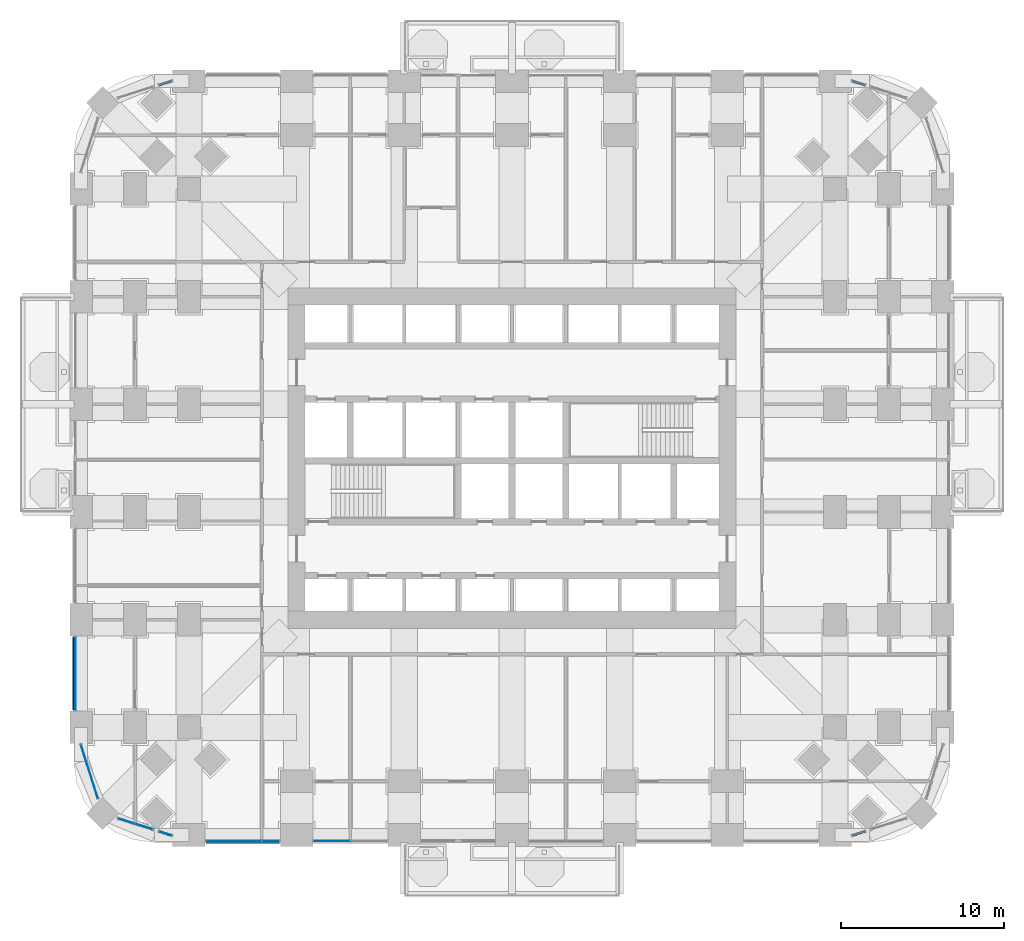
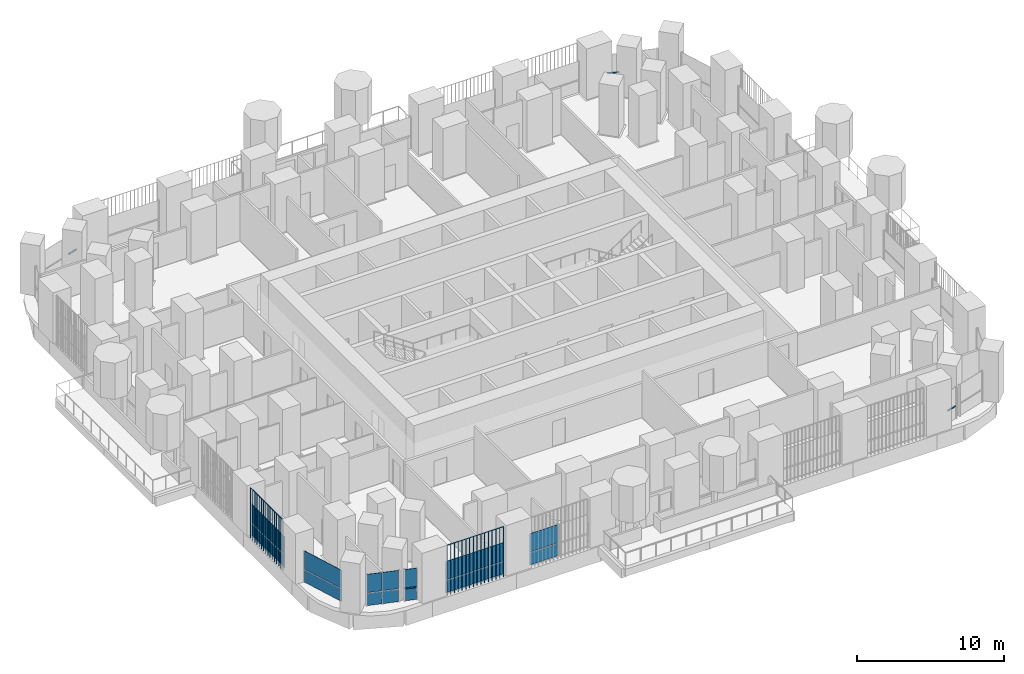
# One storey, part 10 of 25: 18 plates, 4 members, 9 elements without a shape of their own.
"""IFC4 building model written with IfcOpenShell, lengths in metres."""

import ifcopenshell
import ifcopenshell.guid

model = None  # the IFC model being written
_history = None  # IfcOwnerHistory: only IFC2X3 demands one
_inside = {}  # id of a spatial element -> (the spatial element, [elements in it])
_under = {}  # id of a project, library or spatial element -> (it, [spatial elements below it])
_declared = {}  # id of a project -> (the project, [libraries it declares])
_typed = {}  # id of a type object -> (the type object, [elements of that type])
_made_of = {}  # id of a material, layer set ... -> (it, [elements and type objects made of it])


def new_model(schema):
    """Start an empty IFC model of exactly this schema.

    Asked for "IFC4X3", IfcOpenShell would pick the latest addendum, in which some entities
    have other attributes; the version numbers below select the first issue.
    IFC2X3 requires an IfcOwnerHistory on every rooted entity: one is made here for all.
    """
    global model, _history
    if schema == "IFC4X3":
        model = ifcopenshell.file(schema_version=(4, 3, 0, 0))
    else:
        model = ifcopenshell.file(schema=schema)
    _inside.clear()
    _under.clear()
    _declared.clear()
    _typed.clear()
    _made_of.clear()
    _history = None
    if model.schema == "IFC2X3":
        org = make("IfcOrganization", Name="unknown")
        user = make(
            "IfcPersonAndOrganization",
            ThePerson=make("IfcPerson", FamilyName="unknown"),
            TheOrganization=org,
        )
        app = make(
            "IfcApplication",
            ApplicationDeveloper=org,
            Version="unknown",
            ApplicationFullName="unknown",
            ApplicationIdentifier="unknown",
        )
        _history = make(
            "IfcOwnerHistory",
            OwningUser=user,
            OwningApplication=app,
            ChangeAction="ADDED",
            CreationDate=0,
        )
    return model


def make(cls, **values):
    """One entity of the class cls with the attributes given. An attribute that is None is left unset."""
    return model.create_entity(
        cls, **{name: value for name, value in values.items() if value is not None}
    )


def rooted(cls, **values):
    """An entity with a GlobalId (a new one), such as an element, a storey or a relation."""
    return make(cls, GlobalId=ifcopenshell.guid.new(), OwnerHistory=_history, **values)


def si_unit(unit_type, name, prefix=None):
    """IfcSIUnit, for example si_unit("LENGTHUNIT", "METRE", prefix="MILLI")."""
    return make("IfcSIUnit", UnitType=unit_type, Prefix=prefix, Name=name)


def assignment(units):
    """IfcUnitAssignment: the units of a project."""
    return None if units is None else make("IfcUnitAssignment", Units=units)


def point(xyz):
    """IfcCartesianPoint."""
    return None if xyz is None else make("IfcCartesianPoint", Coordinates=xyz)


def direction(xyz):
    """IfcDirection."""
    return None if xyz is None else make("IfcDirection", DirectionRatios=xyz)


def frame(location, z_axis=None, x_axis=None):
    """IfcAxis2Placement3D, a coordinate frame: its origin and axes. An axis left out is left unset."""
    return make(
        "IfcAxis2Placement3D",
        Location=point(location),
        Axis=direction(z_axis),
        RefDirection=direction(x_axis),
    )


def frame_2d(location, x_axis=None):
    """IfcAxis2Placement2D, a coordinate frame in the plane: its origin and x axis."""
    return make(
        "IfcAxis2Placement2D", Location=point(location), RefDirection=direction(x_axis)
    )


def origin():
    """The frame at (0, 0, 0) with its axes left unset."""
    return frame((0.0, 0.0, 0.0))


def origin_2d():
    """The frame at (0, 0) in the plane with its x axis left unset."""
    return frame_2d((0.0, 0.0))


def place(relative_to, where):
    """IfcLocalPlacement: puts the frame where relative to a parent placement (None: the world)."""
    return make(
        "IfcLocalPlacement", PlacementRelTo=relative_to, RelativePlacement=where
    )


def context(
    kind, dimensions, precision=None, world=None, true_north=None, identifier=None
):
    """IfcGeometricRepresentationContext, for example the 3D "Model" context."""
    return make(
        "IfcGeometricRepresentationContext",
        ContextIdentifier=identifier,
        ContextType=kind,
        CoordinateSpaceDimension=dimensions,
        Precision=precision,
        WorldCoordinateSystem=world,
        TrueNorth=true_north,
    )


def subcontext(parent, identifier, kind, view, scale=None):
    """IfcGeometricRepresentationSubContext, for example "Body" below "Model"."""
    return make(
        "IfcGeometricRepresentationSubContext",
        ContextIdentifier=identifier,
        ContextType=kind,
        ParentContext=parent,
        TargetScale=scale,
        TargetView=view,
    )


def project(units=None, contexts=None):
    """IfcProject with its units and contexts."""
    return rooted(
        "IfcProject",
        Name="project",
        RepresentationContexts=contexts,
        UnitsInContext=assignment(units),
    )


def spatial(cls, under=None, at=None, **own):
    """A site, building, storey or space (cls), placed at a placement, below another one or the project."""
    s = rooted(cls, ObjectPlacement=at, **own)
    if under is not None:
        _under.setdefault(under.id(), (under, []))[1].append(s)
    return s


def polyline(points):
    """IfcPolyline through the points."""
    return make("IfcPolyline", Points=[point(p) for p in points])


def profile(cls, at=None, kind="AREA", **sizes):
    """A parametric profile (cls). Its sizes go by their IFC names, for example OverallWidth=200.0."""
    return make(cls, ProfileType=kind, Position=at, **sizes)


def rectangle(**sizes):
    """IfcRectangleProfileDef."""
    return profile("IfcRectangleProfileDef", **sizes)


def outline(outer, holes=None, kind="AREA"):
    """IfcArbitraryClosedProfileDef: a profile drawn as a closed curve; with holes, ...WithVoids."""
    if holes is None:
        return make("IfcArbitraryClosedProfileDef", ProfileType=kind, OuterCurve=outer)
    return make(
        "IfcArbitraryProfileDefWithVoids",
        ProfileType=kind,
        OuterCurve=outer,
        InnerCurves=holes,
    )


def extrude(swept, where, along, depth):
    """IfcExtrudedAreaSolid: the profile swept, set in the frame where, extruded along a direction by depth."""
    return make(
        "IfcExtrudedAreaSolid",
        SweptArea=swept,
        Position=where,
        ExtrudedDirection=direction(along),
        Depth=depth,
    )


def shape(context_of_items, identifier, shape_type, items):
    """IfcShapeRepresentation: the items that make up one representation, for example the "Body"."""
    return make(
        "IfcShapeRepresentation",
        ContextOfItems=context_of_items,
        RepresentationIdentifier=identifier,
        RepresentationType=shape_type,
        Items=items,
    )


def material(Name=None, Category=None):
    """IfcMaterial."""
    return make("IfcMaterial", Name=Name, Category=Category)


def layer(
    of_material, thickness, ventilated=None, Name=None, Category=None, Priority=None
):
    """IfcMaterialLayer: one layer of a wall or slab, of a material (None: an air gap)."""
    return make(
        "IfcMaterialLayer",
        Material=of_material,
        LayerThickness=thickness,
        IsVentilated=ventilated,
        Name=Name,
        Category=Category,
        Priority=Priority,
    )


def layer_set(layers, Name=None):
    """IfcMaterialLayerSet."""
    return make("IfcMaterialLayerSet", MaterialLayers=layers, LayerSetName=Name)


def material_profile(
    of_material, cross_section, Name=None, Category=None, Priority=None
):
    """IfcMaterialProfile: a cross section and its material."""
    return make(
        "IfcMaterialProfile",
        Name=Name,
        Material=of_material,
        Profile=cross_section,
        Priority=Priority,
        Category=Category,
    )


def profile_set(profiles, Name=None, composite=None):
    """IfcMaterialProfileSet."""
    return make(
        "IfcMaterialProfileSet",
        Name=Name,
        MaterialProfiles=profiles,
        CompositeProfile=composite,
    )


def made_of(thing, what):
    """Note that an element or type object is made of a material, layer set ...; save() writes the relation."""
    if what is not None:
        _made_of.setdefault(what.id(), (what, []))[1].append(thing)
    return thing


def type_object(cls, material=None, **own):
    """A type object (cls), such as IfcWallType, which elements share."""
    return made_of(rooted(cls, **own), material)


def element(
    cls,
    number,
    at=None,
    inside=None,
    cuts=None,
    type_object=None,
    material=None,
    context=None,
    identifier="Body",
    shape_type=None,
    held_by="IfcProductDefinitionShape",
    body=None,
    shapes=None,
    **own,
):
    """One element of the class cls, such as IfcWall. Its Tag is "e" and its number.

    at: its placement. inside: the storey or other place that contains it. cuts: it is an
    opening in that element (IfcRelVoidsElement). A single representation is given by context,
    identifier, shape_type and body (its items); several are given by shapes. held_by: the class
    of the entity that holds the representations. save() writes the other relations.
    """
    e = rooted(cls, Tag="e%d" % number, ObjectPlacement=at, **own)
    if body is not None:
        shapes = [shape(context, identifier, shape_type, body)]
    if shapes is not None:
        e.Representation = make(held_by, Representations=shapes)
    if inside is not None:
        _inside.setdefault(inside.id(), (inside, []))[1].append(e)
    if cuts is not None:
        rooted(
            "IfcRelVoidsElement", RelatingBuildingElement=cuts, RelatedOpeningElement=e
        )
    if type_object is not None:
        _typed.setdefault(type_object.id(), (type_object, []))[1].append(e)
    return made_of(e, material)


def aggregate(whole, parts):
    """IfcRelAggregates: a whole, such as a stair, and the parts it consists of."""
    return rooted("IfcRelAggregates", RelatingObject=whole, RelatedObjects=parts)


def save(model, path):
    """Write the relations noted so far, then the file.

    IfcRelAggregates (storeys below a building ...), IfcRelContainedInSpatialStructure (elements
    in a storey), IfcRelDefinesByType, IfcRelAssociatesMaterial and IfcRelDeclares: one each for
    every whole, place, type object, material and project.
    """
    for whole, parts in _under.values():
        aggregate(whole, parts)
    for where, things in _inside.values():
        rooted(
            "IfcRelContainedInSpatialStructure",
            RelatedElements=things,
            RelatingStructure=where,
        )
    for kind, things in _typed.values():
        rooted("IfcRelDefinesByType", RelatedObjects=things, RelatingType=kind)
    for what, things in _made_of.values():
        rooted("IfcRelAssociatesMaterial", RelatedObjects=things, RelatingMaterial=what)
    for by, libraries in _declared.values():
        rooted("IfcRelDeclares", RelatingContext=by, RelatedDefinitions=libraries)
    model.write(path)


model = new_model("IFC4")

# Units and contexts
model_context = context("Model", 3, precision=1e-05, world=origin(), true_north=direction((0.0, 1.0)))
body_context = subcontext(model_context, "Body", "Model", "MODEL_VIEW")
ifc_project = project(units=[si_unit("LENGTHUNIT", "METRE"), si_unit("AREAUNIT", "SQUARE_METRE"), si_unit("VOLUMEUNIT", "CUBIC_METRE"), si_unit("PLANEANGLEUNIT", "RADIAN"), si_unit("MASSUNIT", "GRAM", prefix="KILO")], contexts=[model_context])

# Site, building, storey
site_placement = place(None, origin())
site = spatial("IfcSite", under=ifc_project, at=site_placement, CompositionType="ELEMENT")
building_placement = place(site_placement, origin())
building = spatial("IfcBuilding", under=site, at=building_placement, Name="Cobogo Forest Laboratory Tower", CompositionType="ELEMENT")
storey_placement = place(building_placement, frame((0.0, 0.0, 67.5)))
storey = spatial("IfcBuildingStorey", under=building, at=storey_placement, Name="L15", CompositionType="ELEMENT", Elevation=67.5)

# Curtain wall, member
ifc_material_1 = material(Name="Aluminium curtain wall", Category="aluminium")
curtain_wall_type = type_object("IfcCurtainWallType", Name="CW-1 unitised curtain wall, clear glazing, laboratory floors zones A and B", PredefinedType="USERDEFINED", material=ifc_material_1)
curtain_wall_1_placement = place(storey_placement, origin())
curtain_wall_1 = element("IfcCurtainWall", 1, at=curtain_wall_1_placement, inside=storey, type_object=curtain_wall_type, Name="Curtain wall 07 L15", ObjectType="UNITISED CURTAIN WALL", PredefinedType="USERDEFINED")
ifc_material_2 = material(Name="Aluminium transom", Category="aluminium")
ifc_material_profile = material_profile(ifc_material_2, rectangle(XDim=0.1201171875, YDim=0.06005859375, at=origin_2d()), Name="AL 60x120")
ifc_profile_set = profile_set([ifc_material_profile], Name="Aluminium transom")
member_type = type_object("IfcMemberType", Name="TR-1 aluminium transom 60x120", PredefinedType="USERDEFINED", material=ifc_profile_set)
member_1_placement = place(storey_placement, frame((47.25732421875, -0.01611328125, 1.050048828125), z_axis=(0.953541389606, 0.301262042596, 0.0), x_axis=(-0.301262042596, 0.953541389606, 0.0)))
member_1 = element("IfcMember", 2, at=member_1_placement, type_object=member_type, Name="CW-1 transom 1.1", ObjectType="TRANSOM", PredefinedType="USERDEFINED", context=body_context, shape_type="SweptSolid", body=[
    extrude(rectangle(XDim=0.1201171875, YDim=0.06005859375, at=origin_2d()), origin(), (0.0, 0.0, 1.0), 0.8046875),
])
aggregate(curtain_wall_1, [member_1])

curtain_wall_2_placement = place(storey_placement, origin())
curtain_wall_2 = element("IfcCurtainWall", 3, at=curtain_wall_2_placement, inside=storey, type_object=curtain_wall_type, Name="Curtain wall 17 L15", ObjectType="UNITISED CURTAIN WALL", PredefinedType="USERDEFINED")
member_2_placement = place(storey_placement, frame((48.024658203125, 45.973876953125, 1.050048828125), z_axis=(-0.953628510017, 0.300986153973, 0.0), x_axis=(-0.300986153973, -0.953628510017, 0.0)))
member_2 = element("IfcMember", 4, at=member_2_placement, type_object=member_type, Name="CW-1 transom 1.1", ObjectType="TRANSOM", PredefinedType="USERDEFINED", context=body_context, shape_type="SweptSolid", body=[
    extrude(rectangle(XDim=0.1201171875, YDim=0.06005859375, at=origin_2d()), origin(), (0.0, 0.0, 1.0), 0.8046875),
])
aggregate(curtain_wall_2, [member_2])

curtain_wall_3_placement = place(storey_placement, origin())
curtain_wall_3 = element("IfcCurtainWall", 5, at=curtain_wall_3_placement, inside=storey, type_object=curtain_wall_type, Name="Curtain wall 24 L15", ObjectType="UNITISED CURTAIN WALL", PredefinedType="USERDEFINED")
member_3_placement = place(storey_placement, frame((5.542724609375, 46.216064453125, 1.050048828125), z_axis=(-0.953628510017, -0.300986153973, 0.0), x_axis=(0.300986153973, -0.953628510017, 0.0)))
member_3 = element("IfcMember", 6, at=member_3_placement, type_object=member_type, Name="CW-1 transom 1.1", ObjectType="TRANSOM", PredefinedType="USERDEFINED", context=body_context, shape_type="SweptSolid", body=[
    extrude(rectangle(XDim=0.1201171875, YDim=0.06005859375, at=origin_2d()), origin(), (0.0, 0.0, 1.0), 0.8046875),
])
aggregate(curtain_wall_3, [member_3])

curtain_wall_4_placement = place(storey_placement, origin())
curtain_wall_4 = element("IfcCurtainWall", 7, at=curtain_wall_4_placement, inside=storey, type_object=curtain_wall_type, Name="Curtain wall 34 L15", ObjectType="UNITISED CURTAIN WALL", PredefinedType="USERDEFINED")
member_4_placement = place(storey_placement, frame((4.775390625, 0.226318359375, 1.050048828125), z_axis=(0.953541389606, -0.301262042596, 0.0), x_axis=(0.301262042596, 0.953541389606, 0.0)))
member_4 = element("IfcMember", 8, at=member_4_placement, type_object=member_type, Name="CW-1 transom 1.1", ObjectType="TRANSOM", PredefinedType="USERDEFINED", context=body_context, shape_type="SweptSolid", body=[
    extrude(rectangle(XDim=0.1201171875, YDim=0.06005859375, at=origin_2d()), origin(), (0.0, 0.0, 1.0), 0.8046875),
])

# Curtain wall, plates
curtain_wall_5_placement = place(storey_placement, origin())
curtain_wall_5 = element("IfcCurtainWall", 9, at=curtain_wall_5_placement, inside=storey, type_object=curtain_wall_type, Name="Curtain wall 01 L15", ObjectType="UNITISED CURTAIN WALL", PredefinedType="USERDEFINED")
ifc_material_3 = material(Name="Clear insulated glass", Category="glass")
ifc_layer = layer(ifc_material_3, 0.028076171875)
ifc_layer_set = layer_set([ifc_layer], Name="GP-1 clear insulated glass unit 28")
plate_type_1 = type_object("IfcPlateType", Name="GP-1 clear insulated glass unit 28", PredefinedType="CURTAIN_PANEL", material=ifc_layer_set)
plate_1_placement = place(storey_placement, frame((9.3525390625, -0.35009765625, 0.0), z_axis=(0.0, 0.0, 1.0), x_axis=(1.0, 0.0, 0.0)))
plate_1 = element("IfcPlate", 10, at=plate_1_placement, type_object=plate_type_1, Name="CW-1 panel 1.1", PredefinedType="CURTAIN_PANEL", context=body_context, shape_type="SweptSolid", body=[
    extrude(rectangle(XDim=3.385009765625, YDim=0.028076171875, at=origin_2d()), origin(), (0.0, 0.0, 1.0), 1.02001953125),
])
plate_2_placement = place(storey_placement, frame((9.3525390625, -0.35009765625, 1.080078125), z_axis=(0.0, 0.0, 1.0), x_axis=(1.0, 0.0, 0.0)))
plate_2 = element("IfcPlate", 11, at=plate_2_placement, type_object=plate_type_1, Name="CW-1 panel 1.2", PredefinedType="CURTAIN_PANEL", context=body_context, shape_type="SweptSolid", body=[
    extrude(rectangle(XDim=3.385009765625, YDim=0.028076171875, at=origin_2d()), origin(), (0.0, 0.0, 1.0), 1.52001953125),
])
plate_3_placement = place(storey_placement, frame((11.62255859375, -0.35009765625, 0.0), z_axis=(0.0, 0.0, 1.0), x_axis=(1.0, 0.0, 0.0)))
plate_3 = element("IfcPlate", 12, at=plate_3_placement, type_object=plate_type_1, Name="CW-1 panel 2.1", PredefinedType="CURTAIN_PANEL", context=body_context, shape_type="SweptSolid", body=[
    extrude(rectangle(XDim=1.034912109375, YDim=0.028076171875, at=origin_2d()), origin(), (0.0, 0.0, 1.0), 1.02001953125),
])
plate_4_placement = place(storey_placement, frame((11.62255859375, -0.35009765625, 1.080078125), z_axis=(0.0, 0.0, 1.0), x_axis=(1.0, 0.0, 0.0)))
plate_4 = element("IfcPlate", 13, at=plate_4_placement, type_object=plate_type_1, Name="CW-1 panel 2.2", PredefinedType="CURTAIN_PANEL", context=body_context, shape_type="SweptSolid", body=[
    extrude(rectangle(XDim=1.034912109375, YDim=0.028076171875, at=origin_2d()), origin(), (0.0, 0.0, 1.0), 1.52001953125),
])
aggregate(curtain_wall_5, [plate_1, plate_2, plate_3, plate_4])

curtain_wall_6_placement = place(storey_placement, origin())
curtain_wall_6 = element("IfcCurtainWall", 14, at=curtain_wall_6_placement, inside=storey, type_object=curtain_wall_type, Name="Curtain wall 02 L15", ObjectType="UNITISED CURTAIN WALL", PredefinedType="USERDEFINED")
plate_5_placement = place(storey_placement, frame((15.364990234375, -0.35009765625, 0.0), z_axis=(0.0, 0.0, 1.0), x_axis=(1.0, 0.0, 0.0)))
plate_5 = element("IfcPlate", 15, at=plate_5_placement, type_object=plate_type_1, Name="CW-1 panel 1.1", PredefinedType="CURTAIN_PANEL", context=body_context, shape_type="SweptSolid", body=[
    extrude(rectangle(XDim=2.2099609375, YDim=0.028076171875, at=origin_2d()), origin(), (0.0, 0.0, 1.0), 1.02001953125),
])
plate_6_placement = place(storey_placement, frame((15.364990234375, -0.35009765625, 1.080078125), z_axis=(0.0, 0.0, 1.0), x_axis=(1.0, 0.0, 0.0)))
plate_6 = element("IfcPlate", 16, at=plate_6_placement, type_object=plate_type_1, Name="CW-1 panel 1.2", PredefinedType="CURTAIN_PANEL", context=body_context, shape_type="SweptSolid", body=[
    extrude(rectangle(XDim=2.2099609375, YDim=0.028076171875, at=origin_2d()), origin(), (0.0, 0.0, 1.0), 1.52001953125),
])
aggregate(curtain_wall_6, [plate_5, plate_6])

curtain_wall_7_placement = place(storey_placement, origin())
curtain_wall_7 = element("IfcCurtainWall", 17, at=curtain_wall_7_placement, inside=storey, type_object=curtain_wall_type, Name="Curtain wall 31 L15", ObjectType="UNITISED CURTAIN WALL", PredefinedType="USERDEFINED")
plate_7_placement = place(storey_placement, frame((-0.35009765625, 9.89990234375, 0.0), z_axis=(0.0, 0.0, 1.0), x_axis=(0.0, -1.0, 0.0)))
plate_7 = element("IfcPlate", 18, at=plate_7_placement, type_object=plate_type_1, Name="CW-1 panel 1.1", PredefinedType="CURTAIN_PANEL", context=body_context, shape_type="SweptSolid", body=[
    extrude(rectangle(XDim=4.47998046875, YDim=0.028076171875, at=origin_2d()), origin(), (0.0, 0.0, 1.0), 1.02001953125),
])
plate_8_placement = place(storey_placement, frame((-0.35009765625, 9.89990234375, 1.080078125), z_axis=(0.0, 0.0, 1.0), x_axis=(0.0, -1.0, 0.0)))
plate_8 = element("IfcPlate", 19, at=plate_8_placement, type_object=plate_type_1, Name="CW-1 panel 1.2", PredefinedType="CURTAIN_PANEL", context=body_context, shape_type="SweptSolid", body=[
    extrude(rectangle(XDim=4.47998046875, YDim=0.028076171875, at=origin_2d()), origin(), (0.0, 0.0, 1.0), 1.52001953125),
])
aggregate(curtain_wall_7, [plate_7, plate_8])

curtain_wall_8_placement = place(storey_placement, origin())
curtain_wall_8 = element("IfcCurtainWall", 20, at=curtain_wall_8_placement, inside=storey, type_object=curtain_wall_type, Name="Curtain wall 32 L15", ObjectType="UNITISED CURTAIN WALL", PredefinedType="USERDEFINED")
plate_9_placement = place(storey_placement, frame((0.5009765625, 3.905029296875, 0.0), z_axis=(0.0, 0.0, 1.0), x_axis=(0.301135433696, -0.953581381201, 0.0)))
plate_9 = element("IfcPlate", 21, at=plate_9_placement, type_object=plate_type_1, Name="CW-1 panel 1.1", PredefinedType="CURTAIN_PANEL", context=body_context, shape_type="SweptSolid", body=[
    extrude(rectangle(XDim=3.434814453125, YDim=0.028076171875, at=origin_2d()), origin(), (0.0, 0.0, 1.0), 1.02001953125),
])
plate_10_placement = place(storey_placement, frame((0.5009765625, 3.905029296875, 1.080078125), z_axis=(0.0, 0.0, 1.0), x_axis=(0.301135433696, -0.953581381201, 0.0)))
plate_10 = element("IfcPlate", 22, at=plate_10_placement, type_object=plate_type_1, Name="CW-1 panel 1.2", PredefinedType="CURTAIN_PANEL", context=body_context, shape_type="SweptSolid", body=[
    extrude(rectangle(XDim=3.434814453125, YDim=0.028076171875, at=origin_2d()), origin(), (0.0, 0.0, 1.0), 1.52001953125),
])
aggregate(curtain_wall_8, [plate_9, plate_10])

curtain_wall_9_placement = place(storey_placement, origin())
curtain_wall_9 = element("IfcCurtainWall", 23, at=curtain_wall_9_placement, inside=storey, type_object=curtain_wall_type, Name="Curtain wall 33 L15", ObjectType="UNITISED CURTAIN WALL", PredefinedType="USERDEFINED")
plate_11_placement = place(storey_placement, frame((2.75732421875, 0.863525390625, 0.0), z_axis=(0.0, 0.0, 1.0), x_axis=(0.953581409645, -0.301135343623, 0.0)))
plate_11 = element("IfcPlate", 24, at=plate_11_placement, type_object=plate_type_1, Name="CW-1 panel 1.1", PredefinedType="CURTAIN_PANEL", context=body_context, shape_type="SweptSolid", body=[
    extrude(rectangle(XDim=1.027587890625, YDim=0.028076171875, at=origin_2d()), origin(), (0.0, 0.0, 1.0), 1.02001953125),
])
plate_12_placement = place(storey_placement, frame((2.75732421875, 0.863525390625, 1.080078125), z_axis=(0.0, 0.0, 1.0), x_axis=(0.953581409645, -0.301135343623, 0.0)))
plate_12 = element("IfcPlate", 25, at=plate_12_placement, type_object=plate_type_1, Name="CW-1 panel 1.2", PredefinedType="CURTAIN_PANEL", context=body_context, shape_type="SweptSolid", body=[
    extrude(rectangle(XDim=1.027587890625, YDim=0.028076171875, at=origin_2d()), origin(), (0.0, 0.0, 1.0), 1.52001953125),
])
plate_13_placement = place(storey_placement, frame((3.83642578125, 0.522705078125, 0.0), z_axis=(0.0, 0.0, 1.0), x_axis=(0.953581409645, -0.301135343623, 0.0)))
plate_13 = element("IfcPlate", 26, at=plate_13_placement, type_object=plate_type_1, Name="CW-1 panel 2.1", PredefinedType="CURTAIN_PANEL", context=body_context, shape_type="SweptSolid", body=[
    extrude(rectangle(XDim=1.11572265625, YDim=0.028076171875, at=origin_2d()), origin(), (0.0, 0.0, 1.0), 1.02001953125),
])
plate_14_placement = place(storey_placement, frame((3.83642578125, 0.522705078125, 1.080078125), z_axis=(0.0, 0.0, 1.0), x_axis=(0.953581409645, -0.301135343623, 0.0)))
plate_14 = element("IfcPlate", 27, at=plate_14_placement, type_object=plate_type_1, Name="CW-1 panel 2.2", PredefinedType="CURTAIN_PANEL", context=body_context, shape_type="SweptSolid", body=[
    extrude(rectangle(XDim=1.11572265625, YDim=0.028076171875, at=origin_2d()), origin(), (0.0, 0.0, 1.0), 1.52001953125),
])
aggregate(curtain_wall_9, [plate_11, plate_12, plate_13, plate_14])

# Plate
plate_15_placement = place(storey_placement, frame((5.158935546875, 0.10498046875, 0.0), z_axis=(0.0, 0.0, 1.0), x_axis=(0.953581406818, -0.301135352577, 0.0)))
plate_15 = element("IfcPlate", 28, at=plate_15_placement, type_object=plate_type_1, Name="CW-1 panel 1.1", PredefinedType="CURTAIN_PANEL", context=body_context, shape_type="SweptSolid", body=[
    extrude(rectangle(XDim=0.804931640625, YDim=0.028076171875, at=origin_2d()), origin(), (0.0, 0.0, 1.0), 1.02001953125),
])

plate_16_placement = place(storey_placement, frame((5.158935546875, 0.10498046875, 1.080078125), z_axis=(0.0, 0.0, 1.0), x_axis=(0.953581406818, -0.301135352577, 0.0)))
plate_16 = element("IfcPlate", 29, at=plate_16_placement, type_object=plate_type_1, Name="CW-1 panel 1.2", PredefinedType="CURTAIN_PANEL", context=body_context, shape_type="SweptSolid", body=[
    extrude(rectangle(XDim=0.804931640625, YDim=0.028076171875, at=origin_2d()), origin(), (0.0, 0.0, 1.0), 1.52001953125),
])

aggregate(curtain_wall_4, [member_4, plate_15, plate_16])

# Plates
ifc_material_4 = material(Name="Terracotta", Category="masonry")
plate_type_2 = type_object("IfcPlateType", Name="TB1 terracotta baguette screen", PredefinedType="USERDEFINED", material=ifc_material_4)
plate_17_placement = place(storey_placement, frame((7.68115234375, -0.477783203125, -0.14990234375)))
element("IfcPlate", 30, at=plate_17_placement, inside=storey, type_object=plate_type_2, Name="Baguette screen S1 L15", ObjectType="BAGUETTE SCREEN", PredefinedType="USERDEFINED", context=body_context, shape_type="SweptSolid", body=[
    extrude(outline(polyline([(0.02880859375, 0.011962890625), (0.011962890625, 0.02880859375), (-0.011962890625, 0.02880859375), (-0.02880859375, 0.011962890625), (-0.02880859375, -0.011962890625), (-0.011962890625, -0.02880859375), (0.011962890625, -0.02880859375), (0.02880859375, -0.011962890625), (0.02880859375, 0.011962890625)])), frame((0.0, 0.0, 4.168701171875), z_axis=(1.0, 0.0, 0.0), x_axis=(0.0, 1.0, 0.0)), (0.0, 0.0, 1.0), 4.4375),
    extrude(outline(polyline([(0.02880859375, 0.011962890625), (0.011962890625, 0.02880859375), (-0.011962890625, 0.02880859375), (-0.02880859375, 0.011962890625), (-0.02880859375, -0.011962890625), (-0.011962890625, -0.02880859375), (0.011962890625, -0.02880859375), (0.02880859375, -0.011962890625), (0.02880859375, 0.011962890625)])), origin(), (0.0, 0.0, 1.0), 4.137451171875),
    extrude(outline(polyline([(0.02880859375, 0.011962890625), (0.011962890625, 0.02880859375), (-0.011962890625, 0.02880859375), (-0.02880859375, 0.011962890625), (-0.02880859375, -0.011962890625), (-0.011962890625, -0.02880859375), (0.011962890625, -0.02880859375), (0.02880859375, -0.011962890625), (0.02880859375, 0.011962890625)])), frame((0.2958984375, 0.0, 0.0)), (0.0, 0.0, 1.0), 4.137451171875),
    extrude(outline(polyline([(0.02880859375, 0.011962890625), (0.011962890625, 0.02880859375), (-0.011962890625, 0.02880859375), (-0.02880859375, 0.011962890625), (-0.02880859375, -0.011962890625), (-0.011962890625, -0.02880859375), (0.011962890625, -0.02880859375), (0.02880859375, -0.011962890625), (0.02880859375, 0.011962890625)])), frame((0.591552734375, 0.0, 0.0)), (0.0, 0.0, 1.0), 4.137451171875),
    extrude(outline(polyline([(0.02880859375, 0.011962890625), (0.011962890625, 0.02880859375), (-0.011962890625, 0.02880859375), (-0.02880859375, 0.011962890625), (-0.02880859375, -0.011962890625), (-0.011962890625, -0.02880859375), (0.011962890625, -0.02880859375), (0.02880859375, -0.011962890625), (0.02880859375, 0.011962890625)])), frame((0.887451171875, 0.0, 0.0)), (0.0, 0.0, 1.0), 4.137451171875),
    extrude(outline(polyline([(0.02880859375, 0.011962890625), (0.011962890625, 0.02880859375), (-0.011962890625, 0.02880859375), (-0.02880859375, 0.011962890625), (-0.02880859375, -0.011962890625), (-0.011962890625, -0.02880859375), (0.011962890625, -0.02880859375), (0.02880859375, -0.011962890625), (0.02880859375, 0.011962890625)])), frame((1.183349609375, 0.0, 0.0)), (0.0, 0.0, 1.0), 4.137451171875),
    extrude(outline(polyline([(0.02880859375, 0.011962890625), (0.011962890625, 0.02880859375), (-0.011962890625, 0.02880859375), (-0.02880859375, 0.011962890625), (-0.02880859375, -0.011962890625), (-0.011962890625, -0.02880859375), (0.011962890625, -0.02880859375), (0.02880859375, -0.011962890625), (0.02880859375, 0.011962890625)])), frame((1.479248046875, 0.0, 0.0)), (0.0, 0.0, 1.0), 4.137451171875),
    extrude(outline(polyline([(0.02880859375, 0.011962890625), (0.011962890625, 0.02880859375), (-0.011962890625, 0.02880859375), (-0.02880859375, 0.011962890625), (-0.02880859375, -0.011962890625), (-0.011962890625, -0.02880859375), (0.011962890625, -0.02880859375), (0.02880859375, -0.011962890625), (0.02880859375, 0.011962890625)])), frame((1.77490234375, 0.0, 0.0)), (0.0, 0.0, 1.0), 4.137451171875),
    extrude(outline(polyline([(0.02880859375, 0.011962890625), (0.011962890625, 0.02880859375), (-0.011962890625, 0.02880859375), (-0.02880859375, 0.011962890625), (-0.02880859375, -0.011962890625), (-0.011962890625, -0.02880859375), (0.011962890625, -0.02880859375), (0.02880859375, -0.011962890625), (0.02880859375, 0.011962890625)])), frame((2.07080078125, 0.0, 0.0)), (0.0, 0.0, 1.0), 4.137451171875),
    extrude(outline(polyline([(0.02880859375, 0.011962890625), (0.011962890625, 0.02880859375), (-0.011962890625, 0.02880859375), (-0.02880859375, 0.011962890625), (-0.02880859375, -0.011962890625), (-0.011962890625, -0.02880859375), (0.011962890625, -0.02880859375), (0.02880859375, -0.011962890625), (0.02880859375, 0.011962890625)])), frame((2.36669921875, 0.0, 0.0)), (0.0, 0.0, 1.0), 4.137451171875),
    extrude(outline(polyline([(0.02880859375, 0.011962890625), (0.011962890625, 0.02880859375), (-0.011962890625, 0.02880859375), (-0.02880859375, 0.011962890625), (-0.02880859375, -0.011962890625), (-0.011962890625, -0.02880859375), (0.011962890625, -0.02880859375), (0.02880859375, -0.011962890625), (0.02880859375, 0.011962890625)])), frame((2.66259765625, 0.0, 0.0)), (0.0, 0.0, 1.0), 4.137451171875),
    extrude(outline(polyline([(0.02880859375, 0.011962890625), (0.011962890625, 0.02880859375), (-0.011962890625, 0.02880859375), (-0.02880859375, 0.011962890625), (-0.02880859375, -0.011962890625), (-0.011962890625, -0.02880859375), (0.011962890625, -0.02880859375), (0.02880859375, -0.011962890625), (0.02880859375, 0.011962890625)])), frame((2.958251953125, 0.0, 0.0)), (0.0, 0.0, 1.0), 4.137451171875),
    extrude(outline(polyline([(0.02880859375, 0.011962890625), (0.011962890625, 0.02880859375), (-0.011962890625, 0.02880859375), (-0.02880859375, 0.011962890625), (-0.02880859375, -0.011962890625), (-0.011962890625, -0.02880859375), (0.011962890625, -0.02880859375), (0.02880859375, -0.011962890625), (0.02880859375, 0.011962890625)])), frame((3.254150390625, 0.0, 0.0)), (0.0, 0.0, 1.0), 4.137451171875),
    extrude(outline(polyline([(0.02880859375, 0.011962890625), (0.011962890625, 0.02880859375), (-0.011962890625, 0.02880859375), (-0.02880859375, 0.011962890625), (-0.02880859375, -0.011962890625), (-0.011962890625, -0.02880859375), (0.011962890625, -0.02880859375), (0.02880859375, -0.011962890625), (0.02880859375, 0.011962890625)])), frame((3.550048828125, 0.0, 0.0)), (0.0, 0.0, 1.0), 4.137451171875),
    extrude(outline(polyline([(0.02880859375, 0.011962890625), (0.011962890625, 0.02880859375), (-0.011962890625, 0.02880859375), (-0.02880859375, 0.011962890625), (-0.02880859375, -0.011962890625), (-0.011962890625, -0.02880859375), (0.011962890625, -0.02880859375), (0.02880859375, -0.011962890625), (0.02880859375, 0.011962890625)])), frame((3.845947265625, 0.0, 0.0)), (0.0, 0.0, 1.0), 4.137451171875),
    extrude(outline(polyline([(0.02880859375, 0.011962890625), (0.011962890625, 0.02880859375), (-0.011962890625, 0.02880859375), (-0.02880859375, 0.011962890625), (-0.02880859375, -0.011962890625), (-0.011962890625, -0.02880859375), (0.011962890625, -0.02880859375), (0.02880859375, -0.011962890625), (0.02880859375, 0.011962890625)])), frame((4.1416015625, 0.0, 0.0)), (0.0, 0.0, 1.0), 4.137451171875),
    extrude(outline(polyline([(0.02880859375, 0.011962890625), (0.011962890625, 0.02880859375), (-0.011962890625, 0.02880859375), (-0.02880859375, 0.011962890625), (-0.02880859375, -0.011962890625), (-0.011962890625, -0.02880859375), (0.011962890625, -0.02880859375), (0.02880859375, -0.011962890625), (0.02880859375, 0.011962890625)])), frame((4.4375, 0.0, 0.0)), (0.0, 0.0, 1.0), 4.137451171875),
])
plate_18_placement = place(storey_placement, frame((-0.477783203125, 7.68115234375, -0.14990234375)))
element("IfcPlate", 31, at=plate_18_placement, inside=storey, type_object=plate_type_2, Name="Baguette screen W1 L15", ObjectType="BAGUETTE SCREEN", PredefinedType="USERDEFINED", context=body_context, shape_type="SweptSolid", body=[
    extrude(outline(polyline([(0.02880859375, 0.011962890625), (0.011962890625, 0.02880859375), (-0.011962890625, 0.02880859375), (-0.02880859375, 0.011962890625), (-0.02880859375, -0.011962890625), (-0.011962890625, -0.02880859375), (0.011962890625, -0.02880859375), (0.02880859375, -0.011962890625), (0.02880859375, 0.011962890625)])), frame((0.0, 0.0, 4.168701171875), z_axis=(0.0, 1.0, 0.0), x_axis=(-1.0, 0.0, 0.0)), (0.0, 0.0, 1.0), 4.4375),
    extrude(outline(polyline([(0.02880859375, 0.011962890625), (0.011962890625, 0.02880859375), (-0.011962890625, 0.02880859375), (-0.02880859375, 0.011962890625), (-0.02880859375, -0.011962890625), (-0.011962890625, -0.02880859375), (0.011962890625, -0.02880859375), (0.02880859375, -0.011962890625), (0.02880859375, 0.011962890625)])), origin(), (0.0, 0.0, 1.0), 4.137451171875),
    extrude(outline(polyline([(0.02880859375, 0.011962890625), (0.011962890625, 0.02880859375), (-0.011962890625, 0.02880859375), (-0.02880859375, 0.011962890625), (-0.02880859375, -0.011962890625), (-0.011962890625, -0.02880859375), (0.011962890625, -0.02880859375), (0.02880859375, -0.011962890625), (0.02880859375, 0.011962890625)])), frame((0.0, 0.2958984375, 0.0)), (0.0, 0.0, 1.0), 4.137451171875),
    extrude(outline(polyline([(0.02880859375, 0.011962890625), (0.011962890625, 0.02880859375), (-0.011962890625, 0.02880859375), (-0.02880859375, 0.011962890625), (-0.02880859375, -0.011962890625), (-0.011962890625, -0.02880859375), (0.011962890625, -0.02880859375), (0.02880859375, -0.011962890625), (0.02880859375, 0.011962890625)])), frame((0.0, 0.591552734375, 0.0)), (0.0, 0.0, 1.0), 4.137451171875),
    extrude(outline(polyline([(0.02880859375, 0.011962890625), (0.011962890625, 0.02880859375), (-0.011962890625, 0.02880859375), (-0.02880859375, 0.011962890625), (-0.02880859375, -0.011962890625), (-0.011962890625, -0.02880859375), (0.011962890625, -0.02880859375), (0.02880859375, -0.011962890625), (0.02880859375, 0.011962890625)])), frame((0.0, 0.887451171875, 0.0)), (0.0, 0.0, 1.0), 4.137451171875),
    extrude(outline(polyline([(0.02880859375, 0.011962890625), (0.011962890625, 0.02880859375), (-0.011962890625, 0.02880859375), (-0.02880859375, 0.011962890625), (-0.02880859375, -0.011962890625), (-0.011962890625, -0.02880859375), (0.011962890625, -0.02880859375), (0.02880859375, -0.011962890625), (0.02880859375, 0.011962890625)])), frame((0.0, 1.183349609375, 0.0)), (0.0, 0.0, 1.0), 4.137451171875),
    extrude(outline(polyline([(0.02880859375, 0.011962890625), (0.011962890625, 0.02880859375), (-0.011962890625, 0.02880859375), (-0.02880859375, 0.011962890625), (-0.02880859375, -0.011962890625), (-0.011962890625, -0.02880859375), (0.011962890625, -0.02880859375), (0.02880859375, -0.011962890625), (0.02880859375, 0.011962890625)])), frame((0.0, 1.479248046875, 0.0)), (0.0, 0.0, 1.0), 4.137451171875),
    extrude(outline(polyline([(0.02880859375, 0.011962890625), (0.011962890625, 0.02880859375), (-0.011962890625, 0.02880859375), (-0.02880859375, 0.011962890625), (-0.02880859375, -0.011962890625), (-0.011962890625, -0.02880859375), (0.011962890625, -0.02880859375), (0.02880859375, -0.011962890625), (0.02880859375, 0.011962890625)])), frame((0.0, 1.77490234375, 0.0)), (0.0, 0.0, 1.0), 4.137451171875),
    extrude(outline(polyline([(0.02880859375, 0.011962890625), (0.011962890625, 0.02880859375), (-0.011962890625, 0.02880859375), (-0.02880859375, 0.011962890625), (-0.02880859375, -0.011962890625), (-0.011962890625, -0.02880859375), (0.011962890625, -0.02880859375), (0.02880859375, -0.011962890625), (0.02880859375, 0.011962890625)])), frame((0.0, 2.07080078125, 0.0)), (0.0, 0.0, 1.0), 4.137451171875),
    extrude(outline(polyline([(0.02880859375, 0.011962890625), (0.011962890625, 0.02880859375), (-0.011962890625, 0.02880859375), (-0.02880859375, 0.011962890625), (-0.02880859375, -0.011962890625), (-0.011962890625, -0.02880859375), (0.011962890625, -0.02880859375), (0.02880859375, -0.011962890625), (0.02880859375, 0.011962890625)])), frame((0.0, 2.36669921875, 0.0)), (0.0, 0.0, 1.0), 4.137451171875),
    extrude(outline(polyline([(0.02880859375, 0.011962890625), (0.011962890625, 0.02880859375), (-0.011962890625, 0.02880859375), (-0.02880859375, 0.011962890625), (-0.02880859375, -0.011962890625), (-0.011962890625, -0.02880859375), (0.011962890625, -0.02880859375), (0.02880859375, -0.011962890625), (0.02880859375, 0.011962890625)])), frame((0.0, 2.66259765625, 0.0)), (0.0, 0.0, 1.0), 4.137451171875),
    extrude(outline(polyline([(0.02880859375, 0.011962890625), (0.011962890625, 0.02880859375), (-0.011962890625, 0.02880859375), (-0.02880859375, 0.011962890625), (-0.02880859375, -0.011962890625), (-0.011962890625, -0.02880859375), (0.011962890625, -0.02880859375), (0.02880859375, -0.011962890625), (0.02880859375, 0.011962890625)])), frame((0.0, 2.958251953125, 0.0)), (0.0, 0.0, 1.0), 4.137451171875),
    extrude(outline(polyline([(0.02880859375, 0.011962890625), (0.011962890625, 0.02880859375), (-0.011962890625, 0.02880859375), (-0.02880859375, 0.011962890625), (-0.02880859375, -0.011962890625), (-0.011962890625, -0.02880859375), (0.011962890625, -0.02880859375), (0.02880859375, -0.011962890625), (0.02880859375, 0.011962890625)])), frame((0.0, 3.254150390625, 0.0)), (0.0, 0.0, 1.0), 4.137451171875),
    extrude(outline(polyline([(0.02880859375, 0.011962890625), (0.011962890625, 0.02880859375), (-0.011962890625, 0.02880859375), (-0.02880859375, 0.011962890625), (-0.02880859375, -0.011962890625), (-0.011962890625, -0.02880859375), (0.011962890625, -0.02880859375), (0.02880859375, -0.011962890625), (0.02880859375, 0.011962890625)])), frame((0.0, 3.550048828125, 0.0)), (0.0, 0.0, 1.0), 4.137451171875),
    extrude(outline(polyline([(0.02880859375, 0.011962890625), (0.011962890625, 0.02880859375), (-0.011962890625, 0.02880859375), (-0.02880859375, 0.011962890625), (-0.02880859375, -0.011962890625), (-0.011962890625, -0.02880859375), (0.011962890625, -0.02880859375), (0.02880859375, -0.011962890625), (0.02880859375, 0.011962890625)])), frame((0.0, 3.845947265625, 0.0)), (0.0, 0.0, 1.0), 4.137451171875),
    extrude(outline(polyline([(0.02880859375, 0.011962890625), (0.011962890625, 0.02880859375), (-0.011962890625, 0.02880859375), (-0.02880859375, 0.011962890625), (-0.02880859375, -0.011962890625), (-0.011962890625, -0.02880859375), (0.011962890625, -0.02880859375), (0.02880859375, -0.011962890625), (0.02880859375, 0.011962890625)])), frame((0.0, 4.1416015625, 0.0)), (0.0, 0.0, 1.0), 4.137451171875),
    extrude(outline(polyline([(0.02880859375, 0.011962890625), (0.011962890625, 0.02880859375), (-0.011962890625, 0.02880859375), (-0.02880859375, 0.011962890625), (-0.02880859375, -0.011962890625), (-0.011962890625, -0.02880859375), (0.011962890625, -0.02880859375), (0.02880859375, -0.011962890625), (0.02880859375, 0.011962890625)])), frame((0.0, 4.4375, 0.0)), (0.0, 0.0, 1.0), 4.137451171875),
])

save(model, "model.ifc")
